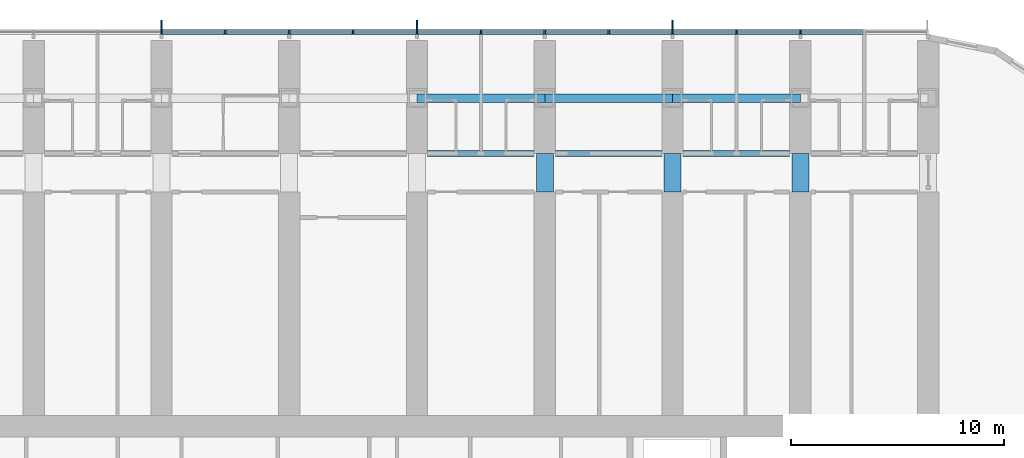
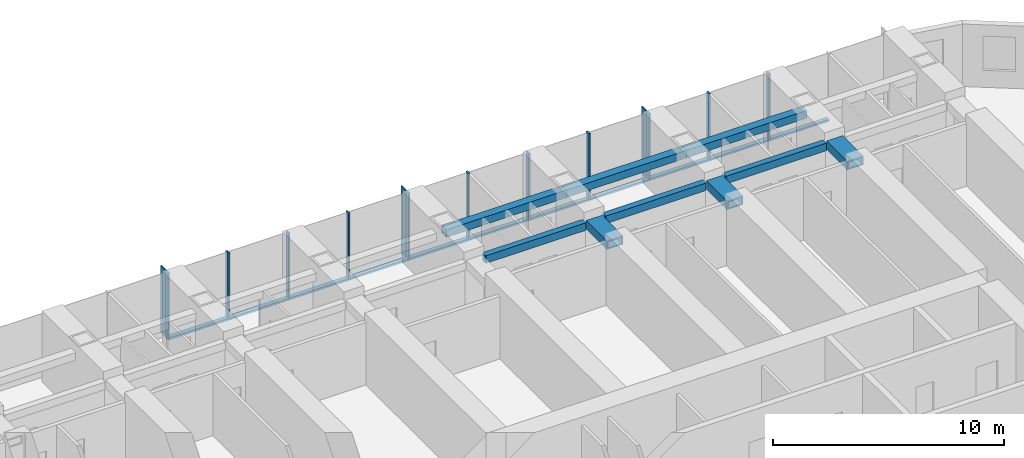
# One storey, part 5 of 24: 25 members, 9 beams, 1 element without a shape of its own.
"""IFC4 building model written with IfcOpenShell, lengths in metres."""

from ifc_helpers import new_model, si_unit, direction, frame, origin, origin_2d, place, context, subcontext, project, spatial, rectangle, hollow_rectangle, extrude, material, material_profile, profile_set, type_object, element, aggregate, save


model = new_model("IFC4")

# Units and contexts
model_context = context("Model", 3, precision=1e-05, world=origin(), true_north=direction((0.0, 1.0)))
body_context = subcontext(model_context, "Body", "Model", "MODEL_VIEW")
ifc_project = project(units=[si_unit("LENGTHUNIT", "METRE"), si_unit("AREAUNIT", "SQUARE_METRE"), si_unit("VOLUMEUNIT", "CUBIC_METRE"), si_unit("PLANEANGLEUNIT", "RADIAN"), si_unit("MASSUNIT", "GRAM", prefix="KILO")], contexts=[model_context])

# Site, building, storey
site_placement = place(None, origin())
site = spatial("IfcSite", under=ifc_project, at=site_placement, CompositionType="ELEMENT")
building_placement = place(site_placement, origin())
building = spatial("IfcBuilding", under=site, at=building_placement, Name="Orbita Commons", CompositionType="ELEMENT")
storey_placement = place(building_placement, frame((0.0, 0.0, 20.199951171875)))
storey = spatial("IfcBuildingStorey", under=building, at=storey_placement, Name="L04", CompositionType="ELEMENT", Elevation=20.199951171875)

# Curtain wall, members
ifc_material_1 = material(Name="Anodised aluminium frame, pale silver", Category="aluminium")
curtain_wall_type = type_object("IfcCurtainWallType", Name="Unitised curtain wall CW-T, vision and spandrel", PredefinedType="NOTDEFINED", material=ifc_material_1)
curtain_wall_placement = place(storey_placement, origin())
curtain_wall = element("IfcCurtainWall", 1, at=curtain_wall_placement, inside=storey, type_object=curtain_wall_type, Name="Curtain wall north L04", PredefinedType="NOTDEFINED")
ifc_material_2 = material(Name="Anodised aluminium, pale silver", Category="aluminium")
ifc_material_profile_1 = material_profile(ifc_material_2, rectangle(XDim=0.080078125, YDim=0.219970703125, at=origin_2d()), Name="AL 80x220")
ifc_profile_set_1 = profile_set([ifc_material_profile_1], Name="Anodised aluminium, pale silver")
member_type_1 = type_object("IfcMemberType", Name="Curtain wall mullion 80x220", PredefinedType="MULLION", material=ifc_profile_set_1)
member_1_placement = place(storey_placement, frame((66.0, 56.7099609375, -0.25), z_axis=(0.0, 0.0, 1.0), x_axis=(-1.0, 0.0, 0.0)))
member_1 = element("IfcMember", 2, at=member_1_placement, type_object=member_type_1, Name="Mullion 3 CW-L04-N", PredefinedType="MULLION", context=body_context, shape_type="SweptSolid", body=[
    extrude(rectangle(XDim=0.080078125, YDim=0.219970703125, at=origin_2d()), origin(), (0.0, 0.0, 1.0), 3.550048828125),
])
member_2_placement = place(storey_placement, frame((63.0, 56.7099609375, -0.25), z_axis=(0.0, 0.0, 1.0), x_axis=(-1.0, 0.0, 0.0)))
member_2 = element("IfcMember", 3, at=member_2_placement, type_object=member_type_1, Name="Mullion 4 CW-L04-N", PredefinedType="MULLION", context=body_context, shape_type="SweptSolid", body=[
    extrude(rectangle(XDim=0.080078125, YDim=0.219970703125, at=origin_2d()), origin(), (0.0, 0.0, 1.0), 3.550048828125),
])
member_3_placement = place(storey_placement, frame((60.0, 56.7099609375, -0.25), z_axis=(0.0, 0.0, 1.0), x_axis=(-1.0, 0.0, 0.0)))
member_3 = element("IfcMember", 4, at=member_3_placement, type_object=member_type_1, Name="Mullion 5 CW-L04-N", PredefinedType="MULLION", context=body_context, shape_type="SweptSolid", body=[
    extrude(rectangle(XDim=0.080078125, YDim=0.219970703125, at=origin_2d()), origin(), (0.0, 0.0, 1.0), 3.550048828125),
])
member_4_placement = place(storey_placement, frame((57.0, 56.7099609375, -0.25), z_axis=(0.0, 0.0, 1.0), x_axis=(-1.0, 0.0, 0.0)))
member_4 = element("IfcMember", 5, at=member_4_placement, type_object=member_type_1, Name="Mullion 6 CW-L04-N", PredefinedType="MULLION", context=body_context, shape_type="SweptSolid", body=[
    extrude(rectangle(XDim=0.080078125, YDim=0.219970703125, at=origin_2d()), origin(), (0.0, 0.0, 1.0), 3.550048828125),
])
member_5_placement = place(storey_placement, frame((54.0, 56.7099609375, -0.25), z_axis=(0.0, 0.0, 1.0), x_axis=(-1.0, 0.0, 0.0)))
member_5 = element("IfcMember", 6, at=member_5_placement, type_object=member_type_1, Name="Mullion 7 CW-L04-N", PredefinedType="MULLION", context=body_context, shape_type="SweptSolid", body=[
    extrude(rectangle(XDim=0.080078125, YDim=0.219970703125, at=origin_2d()), origin(), (0.0, 0.0, 1.0), 3.550048828125),
])
member_6_placement = place(storey_placement, frame((51.0, 56.7099609375, -0.25), z_axis=(0.0, 0.0, 1.0), x_axis=(-1.0, 0.0, 0.0)))
member_6 = element("IfcMember", 7, at=member_6_placement, type_object=member_type_1, Name="Mullion 8 CW-L04-N", PredefinedType="MULLION", context=body_context, shape_type="SweptSolid", body=[
    extrude(rectangle(XDim=0.080078125, YDim=0.219970703125, at=origin_2d()), origin(), (0.0, 0.0, 1.0), 3.550048828125),
])
member_7_placement = place(storey_placement, frame((48.0, 56.7099609375, -0.25), z_axis=(0.0, 0.0, 1.0), x_axis=(-1.0, 0.0, 0.0)))
member_7 = element("IfcMember", 8, at=member_7_placement, type_object=member_type_1, Name="Mullion 9 CW-L04-N", PredefinedType="MULLION", context=body_context, shape_type="SweptSolid", body=[
    extrude(rectangle(XDim=0.080078125, YDim=0.219970703125, at=origin_2d()), origin(), (0.0, 0.0, 1.0), 3.550048828125),
])
member_8_placement = place(storey_placement, frame((45.0, 56.7099609375, -0.25), z_axis=(0.0, 0.0, 1.0), x_axis=(-1.0, 0.0, 0.0)))
member_8 = element("IfcMember", 9, at=member_8_placement, type_object=member_type_1, Name="Mullion 10 CW-L04-N", PredefinedType="MULLION", context=body_context, shape_type="SweptSolid", body=[
    extrude(rectangle(XDim=0.080078125, YDim=0.219970703125, at=origin_2d()), origin(), (0.0, 0.0, 1.0), 3.550048828125),
])
member_9_placement = place(storey_placement, frame((42.0, 56.7099609375, -0.25), z_axis=(0.0, 0.0, 1.0), x_axis=(-1.0, 0.0, 0.0)))
member_9 = element("IfcMember", 10, at=member_9_placement, type_object=member_type_1, Name="Mullion 11 CW-L04-N", PredefinedType="MULLION", context=body_context, shape_type="SweptSolid", body=[
    extrude(rectangle(XDim=0.080078125, YDim=0.219970703125, at=origin_2d()), origin(), (0.0, 0.0, 1.0), 3.550048828125),
])
member_10_placement = place(storey_placement, frame((39.0, 56.7099609375, -0.25), z_axis=(0.0, 0.0, 1.0), x_axis=(-1.0, 0.0, 0.0)))
member_10 = element("IfcMember", 11, at=member_10_placement, type_object=member_type_1, Name="Mullion 12 CW-L04-N", PredefinedType="MULLION", context=body_context, shape_type="SweptSolid", body=[
    extrude(rectangle(XDim=0.080078125, YDim=0.219970703125, at=origin_2d()), origin(), (0.0, 0.0, 1.0), 3.550048828125),
])
member_11_placement = place(storey_placement, frame((36.0, 56.7099609375, -0.25), z_axis=(0.0, 0.0, 1.0), x_axis=(-1.0, 0.0, 0.0)))
member_11 = element("IfcMember", 12, at=member_11_placement, type_object=member_type_1, Name="Mullion 13 CW-L04-N", PredefinedType="MULLION", context=body_context, shape_type="SweptSolid", body=[
    extrude(rectangle(XDim=0.080078125, YDim=0.219970703125, at=origin_2d()), origin(), (0.0, 0.0, 1.0), 3.550048828125),
])
ifc_material_3 = material(Name="Anodised aluminium, pale silver", Category="aluminium")
ifc_material_profile_2 = material_profile(ifc_material_3, rectangle(XDim=0.219970703125, YDim=0.10009765625, at=origin_2d()), Name="AL 220x100")
ifc_profile_set_2 = profile_set([ifc_material_profile_2], Name="Anodised aluminium, pale silver")
member_type_2 = type_object("IfcMemberType", Name="Curtain wall stack transom 220x100", PredefinedType="USERDEFINED", material=ifc_profile_set_2)
member_12_placement = place(storey_placement, frame((68.9599609375, 56.7099609375, -0.199951171875), z_axis=(-1.0, 0.0, 0.0), x_axis=(0.0, -1.0, 0.0)))
member_12 = element("IfcMember", 13, at=member_12_placement, type_object=member_type_2, Name="Transom 2.1 CW-L04-N", ObjectType="TRANSOM", PredefinedType="USERDEFINED", context=body_context, shape_type="SweptSolid", body=[
    extrude(rectangle(XDim=0.219970703125, YDim=0.10009765625, at=origin_2d()), origin(), (0.0, 0.0, 1.0), 2.919921875),
])
member_13_placement = place(storey_placement, frame((65.9599609375, 56.7099609375, -0.199951171875), z_axis=(-1.0, 0.0, 0.0), x_axis=(0.0, -1.0, 0.0)))
member_13 = element("IfcMember", 14, at=member_13_placement, type_object=member_type_2, Name="Transom 3.1 CW-L04-N", ObjectType="TRANSOM", PredefinedType="USERDEFINED", context=body_context, shape_type="SweptSolid", body=[
    extrude(rectangle(XDim=0.219970703125, YDim=0.10009765625, at=origin_2d()), origin(), (0.0, 0.0, 1.0), 2.919921875),
])
member_14_placement = place(storey_placement, frame((62.9599609375, 56.7099609375, -0.199951171875), z_axis=(-1.0, 0.0, 0.0), x_axis=(0.0, -1.0, 0.0)))
member_14 = element("IfcMember", 15, at=member_14_placement, type_object=member_type_2, Name="Transom 4.1 CW-L04-N", ObjectType="TRANSOM", PredefinedType="USERDEFINED", context=body_context, shape_type="SweptSolid", body=[
    extrude(rectangle(XDim=0.219970703125, YDim=0.10009765625, at=origin_2d()), origin(), (0.0, 0.0, 1.0), 2.919921875),
])
member_15_placement = place(storey_placement, frame((59.9599609375, 56.7099609375, -0.199951171875), z_axis=(-1.0, 0.0, 0.0), x_axis=(0.0, -1.0, 0.0)))
member_15 = element("IfcMember", 16, at=member_15_placement, type_object=member_type_2, Name="Transom 5.1 CW-L04-N", ObjectType="TRANSOM", PredefinedType="USERDEFINED", context=body_context, shape_type="SweptSolid", body=[
    extrude(rectangle(XDim=0.219970703125, YDim=0.10009765625, at=origin_2d()), origin(), (0.0, 0.0, 1.0), 2.919921875),
])
member_16_placement = place(storey_placement, frame((56.9599609375, 56.7099609375, -0.199951171875), z_axis=(-1.0, 0.0, 0.0), x_axis=(0.0, -1.0, 0.0)))
member_16 = element("IfcMember", 17, at=member_16_placement, type_object=member_type_2, Name="Transom 6.1 CW-L04-N", ObjectType="TRANSOM", PredefinedType="USERDEFINED", context=body_context, shape_type="SweptSolid", body=[
    extrude(rectangle(XDim=0.219970703125, YDim=0.10009765625, at=origin_2d()), origin(), (0.0, 0.0, 1.0), 2.919921875),
])
member_17_placement = place(storey_placement, frame((53.9599609375, 56.7099609375, -0.199951171875), z_axis=(-1.0, 0.0, 0.0), x_axis=(0.0, -1.0, 0.0)))
member_17 = element("IfcMember", 18, at=member_17_placement, type_object=member_type_2, Name="Transom 7.1 CW-L04-N", ObjectType="TRANSOM", PredefinedType="USERDEFINED", context=body_context, shape_type="SweptSolid", body=[
    extrude(rectangle(XDim=0.219970703125, YDim=0.10009765625, at=origin_2d()), origin(), (0.0, 0.0, 1.0), 2.919921875),
])
member_18_placement = place(storey_placement, frame((50.9599609375, 56.7099609375, -0.199951171875), z_axis=(-1.0, 0.0, 0.0), x_axis=(0.0, -1.0, 0.0)))
member_18 = element("IfcMember", 19, at=member_18_placement, type_object=member_type_2, Name="Transom 8.1 CW-L04-N", ObjectType="TRANSOM", PredefinedType="USERDEFINED", context=body_context, shape_type="SweptSolid", body=[
    extrude(rectangle(XDim=0.219970703125, YDim=0.10009765625, at=origin_2d()), origin(), (0.0, 0.0, 1.0), 2.919921875),
])
member_19_placement = place(storey_placement, frame((47.9599609375, 56.7099609375, -0.199951171875), z_axis=(-1.0, 0.0, 0.0), x_axis=(0.0, -1.0, 0.0)))
member_19 = element("IfcMember", 20, at=member_19_placement, type_object=member_type_2, Name="Transom 9.1 CW-L04-N", ObjectType="TRANSOM", PredefinedType="USERDEFINED", context=body_context, shape_type="SweptSolid", body=[
    extrude(rectangle(XDim=0.219970703125, YDim=0.10009765625, at=origin_2d()), origin(), (0.0, 0.0, 1.0), 2.919921875),
])
member_20_placement = place(storey_placement, frame((44.9599609375, 56.7099609375, -0.199951171875), z_axis=(-1.0, 0.0, 0.0), x_axis=(0.0, -1.0, 0.0)))
member_20 = element("IfcMember", 21, at=member_20_placement, type_object=member_type_2, Name="Transom 10.1 CW-L04-N", ObjectType="TRANSOM", PredefinedType="USERDEFINED", context=body_context, shape_type="SweptSolid", body=[
    extrude(rectangle(XDim=0.219970703125, YDim=0.10009765625, at=origin_2d()), origin(), (0.0, 0.0, 1.0), 2.919921875),
])
member_21_placement = place(storey_placement, frame((41.9599609375, 56.7099609375, -0.199951171875), z_axis=(-1.0, 0.0, 0.0), x_axis=(0.0, -1.0, 0.0)))
member_21 = element("IfcMember", 22, at=member_21_placement, type_object=member_type_2, Name="Transom 11.1 CW-L04-N", ObjectType="TRANSOM", PredefinedType="USERDEFINED", context=body_context, shape_type="SweptSolid", body=[
    extrude(rectangle(XDim=0.219970703125, YDim=0.10009765625, at=origin_2d()), origin(), (0.0, 0.0, 1.0), 2.919921875),
])
member_22_placement = place(storey_placement, frame((38.9599609375, 56.7099609375, -0.199951171875), z_axis=(-1.0, 0.0, 0.0), x_axis=(0.0, -1.0, 0.0)))
member_22 = element("IfcMember", 23, at=member_22_placement, type_object=member_type_2, Name="Transom 12.1 CW-L04-N", ObjectType="TRANSOM", PredefinedType="USERDEFINED", context=body_context, shape_type="SweptSolid", body=[
    extrude(rectangle(XDim=0.219970703125, YDim=0.10009765625, at=origin_2d()), origin(), (0.0, 0.0, 1.0), 2.919921875),
])

# Beams
ifc_material_4 = material(Name="Steel ASTM A572 Gr 50 welded plate", Category="steel")
ifc_material_profile_3 = material_profile(ifc_material_4, hollow_rectangle(XDim=0.300048828125, YDim=0.39990234375, WallThickness=0.0400390625, at=origin_2d()), Name="BOX 400x300x40")
ifc_profile_set_3 = profile_set([ifc_material_profile_3], Name="Steel ASTM A572 Gr 50 welded plate")
beam_type_1 = type_object("IfcBeamType", Name="Steel corridor link BOX 400x300x40", PredefinedType="BEAM", material=ifc_profile_set_3)
for number, where, z_axis, x_axis, name in (
    (24, (48.5, 51.0, 3.10009765625), (1.0, 0.0, 0.0), (0.0, 1.0, 0.0), "Corridor beam NB 9-10 L04"),
    (25, (54.5, 51.0, 3.10009765625), (1.0, 0.0, 0.0), (0.0, 1.0, 0.0), "Corridor beam NB 10-11 L04"),
    (26, (60.5, 51.0, 3.10009765625), (1.0, 0.0, 0.0), (0.0, 1.0, 0.0), "Corridor beam NB 11-12 L04"),
):
    element("IfcBeam", number, at=place(storey_placement, frame(where, z_axis=z_axis, x_axis=x_axis)), inside=storey, type_object=beam_type_1, Name=name, PredefinedType="BEAM", context=body_context, shape_type="SweptSolid", body=[
        extrude(hollow_rectangle(XDim=0.300048828125, YDim=0.39990234375, WallThickness=0.0400390625, at=origin_2d()), origin(), (0.0, 0.0, 1.0), 5.0),
    ])
ifc_material_5 = material(Name="Steel ASTM A572 Gr 50 welded plate", Category="steel")
ifc_material_profile_4 = material_profile(ifc_material_5, hollow_rectangle(XDim=0.800048828125, YDim=0.449951171875, WallThickness=0.06005859375, at=origin_2d()), Name="BOX 450x800x60")
ifc_profile_set_4 = profile_set([ifc_material_profile_4], Name="Steel ASTM A572 Gr 50 welded plate")
beam_type_2 = type_object("IfcBeamType", Name="Steel coupling link BOX 450x800x60", PredefinedType="LINTEL", material=ifc_profile_set_4)
for number, where, z_axis, x_axis, name in (
    (27, (54.0, 49.199951171875, 3.074951171875), (0.0, 1.0, 0.0), (-1.0, 0.0, 0.0), "Coupling beam 10 north L04"),
    (28, (60.0, 49.199951171875, 3.074951171875), (0.0, 1.0, 0.0), (-1.0, 0.0, 0.0), "Coupling beam 11 north L04"),
    (29, (66.0, 49.199951171875, 3.074951171875), (0.0, 1.0, 0.0), (-1.0, 0.0, 0.0), "Coupling beam 12 north L04"),
):
    element("IfcBeam", number, at=place(storey_placement, frame(where, z_axis=z_axis, x_axis=x_axis)), inside=storey, type_object=beam_type_2, Name=name, PredefinedType="LINTEL", context=body_context, shape_type="SweptSolid", body=[
        extrude(hollow_rectangle(XDim=0.800048828125, YDim=0.449951171875, WallThickness=0.06005859375, at=origin_2d()), origin(), (0.0, 0.0, 1.0), 1.800048828125),
    ])
ifc_material_6 = material(Name="Steel ASTM A572 Gr 50 welded plate", Category="steel")
ifc_material_profile_5 = material_profile(ifc_material_6, hollow_rectangle(XDim=0.39990234375, YDim=0.39990234375, WallThickness=0.0400390625, at=origin_2d()), Name="BOX 400x400x40")
ifc_profile_set_5 = profile_set([ifc_material_profile_5], Name="Steel ASTM A572 Gr 50 welded plate")
beam_type_3 = type_object("IfcBeamType", Name="Steel spandrel BOX 400x400x40", PredefinedType="SPANDREL", material=ifc_profile_set_5)
for number, where, z_axis, x_axis, name in (
    (30, (48.0, 53.60009765625, 3.10009765625), (1.0, 0.0, 0.0), (0.0, 1.0, 0.0), "Spandrel beam E 9-10 L04"),
    (31, (54.0, 53.60009765625, 3.10009765625), (1.0, 0.0, 0.0), (0.0, 1.0, 0.0), "Spandrel beam E 10-11 L04"),
    (32, (60.0, 53.60009765625, 3.10009765625), (1.0, 0.0, 0.0), (0.0, 1.0, 0.0), "Spandrel beam E 11-12 L04"),
):
    element("IfcBeam", number, at=place(storey_placement, frame(where, z_axis=z_axis, x_axis=x_axis)), inside=storey, type_object=beam_type_3, Name=name, PredefinedType="SPANDREL", context=body_context, shape_type="SweptSolid", body=[
        extrude(hollow_rectangle(XDim=0.39990234375, YDim=0.39990234375, WallThickness=0.0400390625, at=origin_2d()), origin(), (0.0, 0.0, 1.0), 6.0),
    ])

# Member
ifc_material_7 = material(Name="Anodised aluminium, pale silver", Category="aluminium")
ifc_material_profile_6 = material_profile(ifc_material_7, rectangle(XDim=0.06005859375, YDim=0.449951171875, at=origin_2d()), Name="FIN 60x450")
ifc_profile_set_6 = profile_set([ifc_material_profile_6], Name="Anodised aluminium, pale silver")
member_type_3 = type_object("IfcMemberType", Name="Vertical fin 60x450 pale aluminium", PredefinedType="USERDEFINED", material=ifc_profile_set_6)
member_23_placement = place(storey_placement, frame((60.0, 57.044921875, -0.25), z_axis=(0.0, 0.0, 1.0), x_axis=(-1.0, 0.0, 0.0)))
member_23 = element("IfcMember", 33, at=member_23_placement, type_object=member_type_3, Name="Fin 5 CW-L04-N", ObjectType="FIN", PredefinedType="USERDEFINED", context=body_context, shape_type="SweptSolid", body=[
    extrude(rectangle(XDim=0.06005859375, YDim=0.449951171875, at=origin_2d()), origin(), (0.0, 0.0, 1.0), 3.550048828125),
])

member_24_placement = place(storey_placement, frame((48.0, 57.044921875, -0.25), z_axis=(0.0, 0.0, 1.0), x_axis=(-1.0, 0.0, 0.0)))
member_24 = element("IfcMember", 34, at=member_24_placement, type_object=member_type_3, Name="Fin 9 CW-L04-N", ObjectType="FIN", PredefinedType="USERDEFINED", context=body_context, shape_type="SweptSolid", body=[
    extrude(rectangle(XDim=0.06005859375, YDim=0.449951171875, at=origin_2d()), origin(), (0.0, 0.0, 1.0), 3.550048828125),
])

member_25_placement = place(storey_placement, frame((36.0, 57.044921875, -0.25), z_axis=(0.0, 0.0, 1.0), x_axis=(-1.0, 0.0, 0.0)))
member_25 = element("IfcMember", 35, at=member_25_placement, type_object=member_type_3, Name="Fin 13 CW-L04-N", ObjectType="FIN", PredefinedType="USERDEFINED", context=body_context, shape_type="SweptSolid", body=[
    extrude(rectangle(XDim=0.06005859375, YDim=0.449951171875, at=origin_2d()), origin(), (0.0, 0.0, 1.0), 3.550048828125),
])

aggregate(curtain_wall, [member_1, member_2, member_3, member_23, member_4, member_5, member_6, member_7, member_24, member_8, member_9, member_10, member_11, member_25, member_12, member_13, member_14, member_15, member_16, member_17, member_18, member_19, member_20, member_21, member_22])

save(model, "model.ifc")
